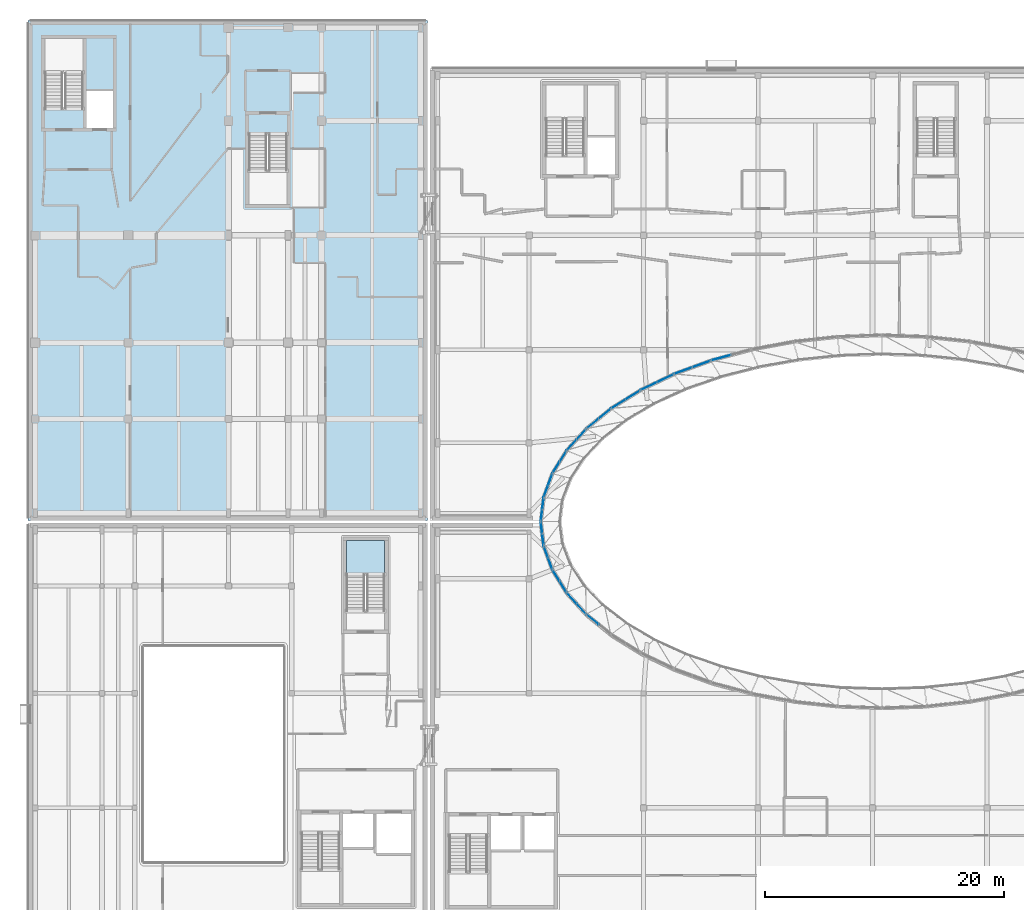
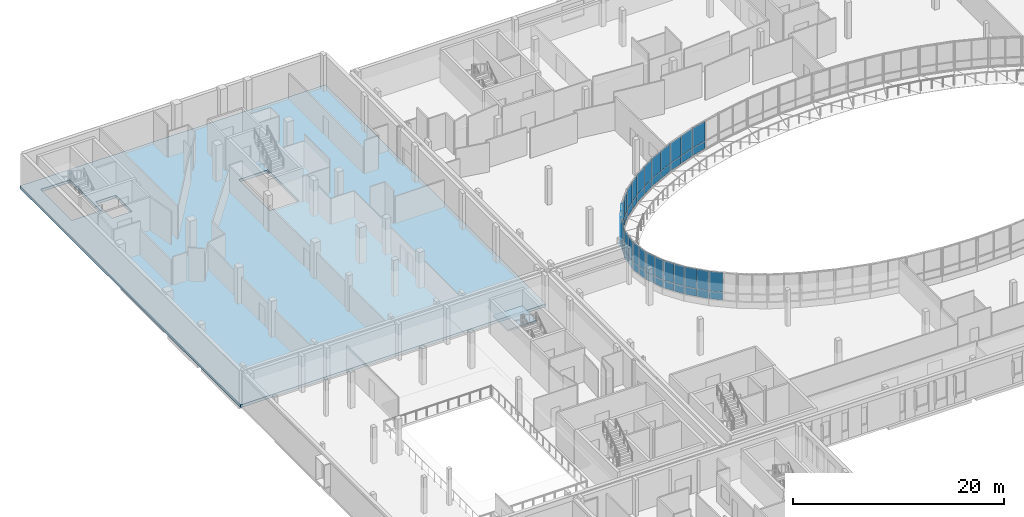
# One storey, part 34 of 84: 52 plates, 2 slabs, 15 elements without a shape of their own.
"""IFC4 building model written with IfcOpenShell, lengths in metres."""

import ifcopenshell
import ifcopenshell.guid

model = None  # the IFC model being written
_history = None  # IfcOwnerHistory: only IFC2X3 demands one
_inside = {}  # id of a spatial element -> (the spatial element, [elements in it])
_under = {}  # id of a project, library or spatial element -> (it, [spatial elements below it])
_declared = {}  # id of a project -> (the project, [libraries it declares])
_typed = {}  # id of a type object -> (the type object, [elements of that type])
_made_of = {}  # id of a material, layer set ... -> (it, [elements and type objects made of it])


def new_model(schema):
    """Start an empty IFC model of exactly this schema.

    Asked for "IFC4X3", IfcOpenShell would pick the latest addendum, in which some entities
    have other attributes; the version numbers below select the first issue.
    IFC2X3 requires an IfcOwnerHistory on every rooted entity: one is made here for all.
    """
    global model, _history
    if schema == "IFC4X3":
        model = ifcopenshell.file(schema_version=(4, 3, 0, 0))
    else:
        model = ifcopenshell.file(schema=schema)
    _inside.clear()
    _under.clear()
    _declared.clear()
    _typed.clear()
    _made_of.clear()
    _history = None
    if model.schema == "IFC2X3":
        org = make("IfcOrganization", Name="unknown")
        user = make(
            "IfcPersonAndOrganization",
            ThePerson=make("IfcPerson", FamilyName="unknown"),
            TheOrganization=org,
        )
        app = make(
            "IfcApplication",
            ApplicationDeveloper=org,
            Version="unknown",
            ApplicationFullName="unknown",
            ApplicationIdentifier="unknown",
        )
        _history = make(
            "IfcOwnerHistory",
            OwningUser=user,
            OwningApplication=app,
            ChangeAction="ADDED",
            CreationDate=0,
        )
    return model


def make(cls, **values):
    """One entity of the class cls with the attributes given. An attribute that is None is left unset."""
    return model.create_entity(
        cls, **{name: value for name, value in values.items() if value is not None}
    )


def rooted(cls, **values):
    """An entity with a GlobalId (a new one), such as an element, a storey or a relation."""
    return make(cls, GlobalId=ifcopenshell.guid.new(), OwnerHistory=_history, **values)


def si_unit(unit_type, name, prefix=None):
    """IfcSIUnit, for example si_unit("LENGTHUNIT", "METRE", prefix="MILLI")."""
    return make("IfcSIUnit", UnitType=unit_type, Prefix=prefix, Name=name)


def assignment(units):
    """IfcUnitAssignment: the units of a project."""
    return None if units is None else make("IfcUnitAssignment", Units=units)


def point(xyz):
    """IfcCartesianPoint."""
    return None if xyz is None else make("IfcCartesianPoint", Coordinates=xyz)


def direction(xyz):
    """IfcDirection."""
    return None if xyz is None else make("IfcDirection", DirectionRatios=xyz)


def frame(location, z_axis=None, x_axis=None):
    """IfcAxis2Placement3D, a coordinate frame: its origin and axes. An axis left out is left unset."""
    return make(
        "IfcAxis2Placement3D",
        Location=point(location),
        Axis=direction(z_axis),
        RefDirection=direction(x_axis),
    )


def frame_2d(location, x_axis=None):
    """IfcAxis2Placement2D, a coordinate frame in the plane: its origin and x axis."""
    return make(
        "IfcAxis2Placement2D", Location=point(location), RefDirection=direction(x_axis)
    )


def origin():
    """The frame at (0, 0, 0) with its axes left unset."""
    return frame((0.0, 0.0, 0.0))


def origin_2d():
    """The frame at (0, 0) in the plane with its x axis left unset."""
    return frame_2d((0.0, 0.0))


def place(relative_to, where):
    """IfcLocalPlacement: puts the frame where relative to a parent placement (None: the world)."""
    return make(
        "IfcLocalPlacement", PlacementRelTo=relative_to, RelativePlacement=where
    )


def context(
    kind, dimensions, precision=None, world=None, true_north=None, identifier=None
):
    """IfcGeometricRepresentationContext, for example the 3D "Model" context."""
    return make(
        "IfcGeometricRepresentationContext",
        ContextIdentifier=identifier,
        ContextType=kind,
        CoordinateSpaceDimension=dimensions,
        Precision=precision,
        WorldCoordinateSystem=world,
        TrueNorth=true_north,
    )


def subcontext(parent, identifier, kind, view, scale=None):
    """IfcGeometricRepresentationSubContext, for example "Body" below "Model"."""
    return make(
        "IfcGeometricRepresentationSubContext",
        ContextIdentifier=identifier,
        ContextType=kind,
        ParentContext=parent,
        TargetScale=scale,
        TargetView=view,
    )


def project(units=None, contexts=None):
    """IfcProject with its units and contexts."""
    return rooted(
        "IfcProject",
        Name="project",
        RepresentationContexts=contexts,
        UnitsInContext=assignment(units),
    )


def spatial(cls, under=None, at=None, **own):
    """A site, building, storey or space (cls), placed at a placement, below another one or the project."""
    s = rooted(cls, ObjectPlacement=at, **own)
    if under is not None:
        _under.setdefault(under.id(), (under, []))[1].append(s)
    return s


def polyline(points):
    """IfcPolyline through the points."""
    return make("IfcPolyline", Points=[point(p) for p in points])


def profile(cls, at=None, kind="AREA", **sizes):
    """A parametric profile (cls). Its sizes go by their IFC names, for example OverallWidth=200.0."""
    return make(cls, ProfileType=kind, Position=at, **sizes)


def rectangle(**sizes):
    """IfcRectangleProfileDef."""
    return profile("IfcRectangleProfileDef", **sizes)


def outline(outer, holes=None, kind="AREA"):
    """IfcArbitraryClosedProfileDef: a profile drawn as a closed curve; with holes, ...WithVoids."""
    if holes is None:
        return make("IfcArbitraryClosedProfileDef", ProfileType=kind, OuterCurve=outer)
    return make(
        "IfcArbitraryProfileDefWithVoids",
        ProfileType=kind,
        OuterCurve=outer,
        InnerCurves=holes,
    )


def extrude(swept, where, along, depth):
    """IfcExtrudedAreaSolid: the profile swept, set in the frame where, extruded along a direction by depth."""
    return make(
        "IfcExtrudedAreaSolid",
        SweptArea=swept,
        Position=where,
        ExtrudedDirection=direction(along),
        Depth=depth,
    )


def shape(context_of_items, identifier, shape_type, items):
    """IfcShapeRepresentation: the items that make up one representation, for example the "Body"."""
    return make(
        "IfcShapeRepresentation",
        ContextOfItems=context_of_items,
        RepresentationIdentifier=identifier,
        RepresentationType=shape_type,
        Items=items,
    )


def material(Name=None, Category=None):
    """IfcMaterial."""
    return make("IfcMaterial", Name=Name, Category=Category)


def layer(
    of_material, thickness, ventilated=None, Name=None, Category=None, Priority=None
):
    """IfcMaterialLayer: one layer of a wall or slab, of a material (None: an air gap)."""
    return make(
        "IfcMaterialLayer",
        Material=of_material,
        LayerThickness=thickness,
        IsVentilated=ventilated,
        Name=Name,
        Category=Category,
        Priority=Priority,
    )


def layer_set(layers, Name=None):
    """IfcMaterialLayerSet."""
    return make("IfcMaterialLayerSet", MaterialLayers=layers, LayerSetName=Name)


def made_of(thing, what):
    """Note that an element or type object is made of a material, layer set ...; save() writes the relation."""
    if what is not None:
        _made_of.setdefault(what.id(), (what, []))[1].append(thing)
    return thing


def type_object(cls, material=None, **own):
    """A type object (cls), such as IfcWallType, which elements share."""
    return made_of(rooted(cls, **own), material)


def element(
    cls,
    number,
    at=None,
    inside=None,
    cuts=None,
    type_object=None,
    material=None,
    context=None,
    identifier="Body",
    shape_type=None,
    held_by="IfcProductDefinitionShape",
    body=None,
    shapes=None,
    **own,
):
    """One element of the class cls, such as IfcWall. Its Tag is "e" and its number.

    at: its placement. inside: the storey or other place that contains it. cuts: it is an
    opening in that element (IfcRelVoidsElement). A single representation is given by context,
    identifier, shape_type and body (its items); several are given by shapes. held_by: the class
    of the entity that holds the representations. save() writes the other relations.
    """
    e = rooted(cls, Tag="e%d" % number, ObjectPlacement=at, **own)
    if body is not None:
        shapes = [shape(context, identifier, shape_type, body)]
    if shapes is not None:
        e.Representation = make(held_by, Representations=shapes)
    if inside is not None:
        _inside.setdefault(inside.id(), (inside, []))[1].append(e)
    if cuts is not None:
        rooted(
            "IfcRelVoidsElement", RelatingBuildingElement=cuts, RelatedOpeningElement=e
        )
    if type_object is not None:
        _typed.setdefault(type_object.id(), (type_object, []))[1].append(e)
    return made_of(e, material)


def aggregate(whole, parts):
    """IfcRelAggregates: a whole, such as a stair, and the parts it consists of."""
    return rooted("IfcRelAggregates", RelatingObject=whole, RelatedObjects=parts)


def save(model, path):
    """Write the relations noted so far, then the file.

    IfcRelAggregates (storeys below a building ...), IfcRelContainedInSpatialStructure (elements
    in a storey), IfcRelDefinesByType, IfcRelAssociatesMaterial and IfcRelDeclares: one each for
    every whole, place, type object, material and project.
    """
    for whole, parts in _under.values():
        aggregate(whole, parts)
    for where, things in _inside.values():
        rooted(
            "IfcRelContainedInSpatialStructure",
            RelatedElements=things,
            RelatingStructure=where,
        )
    for kind, things in _typed.values():
        rooted("IfcRelDefinesByType", RelatedObjects=things, RelatingType=kind)
    for what, things in _made_of.values():
        rooted("IfcRelAssociatesMaterial", RelatedObjects=things, RelatingMaterial=what)
    for by, libraries in _declared.values():
        rooted("IfcRelDeclares", RelatingContext=by, RelatedDefinitions=libraries)
    model.write(path)


model = new_model("IFC4")

# Units and contexts
model_context = context("Model", 3, precision=1e-05, world=origin(), true_north=direction((0.0, 1.0)))
body_context = subcontext(model_context, "Body", "Model", "MODEL_VIEW")
ifc_project = project(units=[si_unit("LENGTHUNIT", "METRE"), si_unit("AREAUNIT", "SQUARE_METRE"), si_unit("VOLUMEUNIT", "CUBIC_METRE"), si_unit("PLANEANGLEUNIT", "RADIAN"), si_unit("MASSUNIT", "GRAM", prefix="KILO")], contexts=[model_context])

# Site, building, storey
site_placement = place(None, origin())
site = spatial("IfcSite", under=ifc_project, at=site_placement, CompositionType="ELEMENT")
building_placement = place(site_placement, origin())
building = spatial("IfcBuilding", under=site, at=building_placement, Name="Mzevani Central Library", CompositionType="ELEMENT")
storey_placement = place(building_placement, frame((0.0, 0.0, 5.39990234375)))
storey = spatial("IfcBuildingStorey", under=building, at=storey_placement, Name="L01", CompositionType="ELEMENT", Elevation=5.39990234375)

# Curtain wall, plate
ifc_material_1 = material(Name="Thermally broken aluminium and Low-E triple glazing", Category="aluminium")
curtain_wall_type_1 = type_object("IfcCurtainWallType", Name="Reading Hall Northlight Curtain Wall", PredefinedType="NOTDEFINED", material=ifc_material_1)
curtain_wall_1_placement = place(storey_placement, origin())
curtain_wall_1 = element("IfcCurtainWall", 1, at=curtain_wall_1_placement, inside=storey, type_object=curtain_wall_type_1, Name="L01 Elliptical Court Curtain Wall 16", PredefinedType="NOTDEFINED")
ifc_material_2 = material(Name="Thermally broken aluminium AW-6060", Category="aluminium")
ifc_layer_1 = layer(ifc_material_2, 0.0419921875, Name="CW Insulated Spandrel Panel 42")
ifc_layer_set_1 = layer_set([ifc_layer_1], Name="Thermally broken aluminium AW-6060")
plate_type_1 = type_object("IfcPlateType", Name="CW Insulated Spandrel Panel 42", PredefinedType="CURTAIN_PANEL", material=ifc_layer_set_1)
plate_1_placement = place(storey_placement, frame((70.48486328125, 89.733154296875, 0.72021484375), z_axis=(0.0, 0.0, 1.0), x_axis=(-0.966009344959, -0.258507147775, 0.0)))
plate_1 = element("IfcPlate", 2, at=plate_1_placement, type_object=plate_type_1, Name="L01 Elliptical Court Curtain Wall 16 Spandrel Panel 3", PredefinedType="CURTAIN_PANEL", context=body_context, shape_type="SweptSolid", body=[
    extrude(rectangle(XDim=1.724609375, YDim=0.0419921875, at=origin_2d()), origin(), (0.0, 0.0, 1.0), 0.89990234375),
])

# Curtain wall, plates
curtain_wall_type_2 = type_object("IfcCurtainWallType", Name="Elliptical Court Unitised Curtain Wall", PredefinedType="NOTDEFINED", material=ifc_material_1)
curtain_wall_2_placement = place(storey_placement, origin())
curtain_wall_2 = element("IfcCurtainWall", 3, at=curtain_wall_2_placement, inside=storey, type_object=curtain_wall_type_2, Name="L01 Elliptical Court Curtain Wall 17", PredefinedType="NOTDEFINED")
plate_2_placement = place(storey_placement, frame((68.85693359375, 89.2060546875, 0.72021484375), z_axis=(0.0, 0.0, 1.0), x_axis=(-0.940105611205, -0.340883322826, 0.0)))
plate_2 = element("IfcPlate", 4, at=plate_2_placement, type_object=plate_type_1, Name="L01 Elliptical Court Curtain Wall 17 Spandrel Panel 1", PredefinedType="CURTAIN_PANEL", context=body_context, shape_type="SweptSolid", body=[
    extrude(rectangle(XDim=1.642822265625, YDim=0.0419921875, at=origin_2d()), origin(), (0.0, 0.0, 1.0), 0.89990234375),
])
plate_3_placement = place(storey_placement, frame((67.3125, 88.64599609375, 0.72021484375), z_axis=(0.0, 0.0, 1.0), x_axis=(-0.940105611205, -0.340883322826, 0.0)))
plate_3 = element("IfcPlate", 5, at=plate_3_placement, type_object=plate_type_1, Name="L01 Elliptical Court Curtain Wall 17 Spandrel Panel 3", PredefinedType="CURTAIN_PANEL", context=body_context, shape_type="SweptSolid", body=[
    extrude(rectangle(XDim=1.642822265625, YDim=0.0419921875, at=origin_2d()), origin(), (0.0, 0.0, 1.0), 0.89990234375),
])

curtain_wall_3_placement = place(storey_placement, origin())
curtain_wall_3 = element("IfcCurtainWall", 6, at=curtain_wall_3_placement, inside=storey, type_object=curtain_wall_type_2, Name="L01 Elliptical Court Curtain Wall 18", PredefinedType="NOTDEFINED")
plate_4_placement = place(storey_placement, frame((65.825927734375, 88.010986328125, 0.72021484375), z_axis=(0.0, 0.0, 1.0), x_axis=(-0.902948631939, -0.429748493982, 0.0)))
plate_4 = element("IfcPlate", 7, at=plate_4_placement, type_object=plate_type_1, Name="L01 Elliptical Court Curtain Wall 18 Spandrel Panel 1", PredefinedType="CURTAIN_PANEL", context=body_context, shape_type="SweptSolid", body=[
    extrude(rectangle(XDim=1.546630859375, YDim=0.0419921875, at=origin_2d()), origin(), (0.0, 0.0, 1.0), 0.89990234375),
])
plate_5_placement = place(storey_placement, frame((64.429443359375, 87.34619140625, 0.72021484375), z_axis=(0.0, 0.0, 1.0), x_axis=(-0.902948631939, -0.429748493982, 0.0)))
plate_5 = element("IfcPlate", 8, at=plate_5_placement, type_object=plate_type_1, Name="L01 Elliptical Court Curtain Wall 18 Spandrel Panel 3", PredefinedType="CURTAIN_PANEL", context=body_context, shape_type="SweptSolid", body=[
    extrude(rectangle(XDim=1.546630859375, YDim=0.0419921875, at=origin_2d()), origin(), (0.0, 0.0, 1.0), 0.89990234375),
])

curtain_wall_4_placement = place(storey_placement, origin())
curtain_wall_4 = element("IfcCurtainWall", 9, at=curtain_wall_4_placement, inside=storey, type_object=curtain_wall_type_1, Name="L01 Elliptical Court Curtain Wall 19", PredefinedType="NOTDEFINED")
plate_6_placement = place(storey_placement, frame((63.107177734375, 86.61376953125, 0.72021484375), z_axis=(0.0, 0.0, 1.0), x_axis=(-0.850357735448, -0.526205018755, 0.0)))
plate_6 = element("IfcPlate", 10, at=plate_6_placement, type_object=plate_type_1, Name="L01 Elliptical Court Curtain Wall 19 Spandrel Panel 1", PredefinedType="CURTAIN_PANEL", context=body_context, shape_type="SweptSolid", body=[
    extrude(rectangle(XDim=1.440185546875, YDim=0.0419921875, at=origin_2d()), origin(), (0.0, 0.0, 1.0), 0.89990234375),
])
plate_7_placement = place(storey_placement, frame((61.882568359375, 85.85595703125, 0.72021484375), z_axis=(0.0, 0.0, 1.0), x_axis=(-0.850357735448, -0.526205018755, 0.0)))
plate_7 = element("IfcPlate", 11, at=plate_7_placement, type_object=plate_type_1, Name="L01 Elliptical Court Curtain Wall 19 Spandrel Panel 3", PredefinedType="CURTAIN_PANEL", context=body_context, shape_type="SweptSolid", body=[
    extrude(rectangle(XDim=1.440185546875, YDim=0.0419921875, at=origin_2d()), origin(), (0.0, 0.0, 1.0), 0.89990234375),
])

curtain_wall_5_placement = place(storey_placement, origin())
curtain_wall_5 = element("IfcCurtainWall", 12, at=curtain_wall_5_placement, inside=storey, type_object=curtain_wall_type_2, Name="L01 Elliptical Court Curtain Wall 20", PredefinedType="NOTDEFINED")
plate_8_placement = place(storey_placement, frame((60.745849609375, 85.038330078125, 0.72021484375), z_axis=(0.0, 0.0, 1.0), x_axis=(-0.776231297509, -0.630448231632, 0.0)))
plate_8 = element("IfcPlate", 13, at=plate_8_placement, type_object=plate_type_1, Name="L01 Elliptical Court Curtain Wall 20 Spandrel Panel 1", PredefinedType="CURTAIN_PANEL", context=body_context, shape_type="SweptSolid", body=[
    extrude(rectangle(XDim=1.329345703125, YDim=0.0419921875, at=origin_2d()), origin(), (0.0, 0.0, 1.0), 0.89990234375),
])
plate_9_placement = place(storey_placement, frame((59.714111328125, 84.2001953125, 0.72021484375), z_axis=(0.0, 0.0, 1.0), x_axis=(-0.776231297509, -0.630448231632, 0.0)))
plate_9 = element("IfcPlate", 14, at=plate_9_placement, type_object=plate_type_1, Name="L01 Elliptical Court Curtain Wall 20 Spandrel Panel 3", PredefinedType="CURTAIN_PANEL", context=body_context, shape_type="SweptSolid", body=[
    extrude(rectangle(XDim=1.329345703125, YDim=0.0419921875, at=origin_2d()), origin(), (0.0, 0.0, 1.0), 0.89990234375),
])

curtain_wall_6_placement = place(storey_placement, origin())
curtain_wall_6 = element("IfcCurtainWall", 15, at=curtain_wall_6_placement, inside=storey, type_object=curtain_wall_type_2, Name="L01 Elliptical Court Curtain Wall 21", PredefinedType="NOTDEFINED")
plate_10_placement = place(storey_placement, frame((58.78173828125, 83.31103515625, 0.72021484375), z_axis=(0.0, 0.0, 1.0), x_axis=(-0.672532156972, -0.74006790083, 0.0)))
plate_10 = element("IfcPlate", 16, at=plate_10_placement, type_object=plate_type_1, Name="L01 Elliptical Court Curtain Wall 21 Spandrel Panel 1", PredefinedType="CURTAIN_PANEL", context=body_context, shape_type="SweptSolid", body=[
    extrude(rectangle(XDim=1.2216796875, YDim=0.0419921875, at=origin_2d()), origin(), (0.0, 0.0, 1.0), 0.89990234375),
])
plate_11_placement = place(storey_placement, frame((57.9599609375, 82.406982421875, 0.72021484375), z_axis=(0.0, 0.0, 1.0), x_axis=(-0.672532156972, -0.74006790083, 0.0)))
plate_11 = element("IfcPlate", 17, at=plate_11_placement, type_object=plate_type_1, Name="L01 Elliptical Court Curtain Wall 21 Spandrel Panel 3", PredefinedType="CURTAIN_PANEL", context=body_context, shape_type="SweptSolid", body=[
    extrude(rectangle(XDim=1.2216796875, YDim=0.0419921875, at=origin_2d()), origin(), (0.0, 0.0, 1.0), 0.89990234375),
])

curtain_wall_7_placement = place(storey_placement, origin())
curtain_wall_7 = element("IfcCurtainWall", 18, at=curtain_wall_7_placement, inside=storey, type_object=curtain_wall_type_1, Name="L01 Elliptical Court Curtain Wall 22", PredefinedType="NOTDEFINED")
plate_12_placement = place(storey_placement, frame((57.2470703125, 81.460693359375, 0.72021484375), z_axis=(0.0, 0.0, 1.0), x_axis=(-0.530342513418, -0.847783473808, 0.0)))
plate_12 = element("IfcPlate", 19, at=plate_12_placement, type_object=plate_type_1, Name="L01 Elliptical Court Curtain Wall 22 Spandrel Panel 1", PredefinedType="CURTAIN_PANEL", context=body_context, shape_type="SweptSolid", body=[
    extrude(rectangle(XDim=1.1259765625, YDim=0.0419921875, at=origin_2d()), origin(), (0.0, 0.0, 1.0), 0.89990234375),
])
plate_13_placement = place(storey_placement, frame((56.64990234375, 80.506103515625, 0.72021484375), z_axis=(0.0, 0.0, 1.0), x_axis=(-0.530342513418, -0.847783473808, 0.0)))
plate_13 = element("IfcPlate", 20, at=plate_13_placement, type_object=plate_type_1, Name="L01 Elliptical Court Curtain Wall 22 Spandrel Panel 3", PredefinedType="CURTAIN_PANEL", context=body_context, shape_type="SweptSolid", body=[
    extrude(rectangle(XDim=1.1259765625, YDim=0.0419921875, at=origin_2d()), origin(), (0.0, 0.0, 1.0), 0.89990234375),
])

curtain_wall_8_placement = place(storey_placement, origin())
curtain_wall_8 = element("IfcCurtainWall", 21, at=curtain_wall_8_placement, inside=storey, type_object=curtain_wall_type_2, Name="L01 Elliptical Court Curtain Wall 23", PredefinedType="NOTDEFINED")
plate_14_placement = place(storey_placement, frame((56.167724609375, 79.518310546875, 0.72021484375), z_axis=(0.0, 0.0, 1.0), x_axis=(-0.344166104443, -0.938908777546, 0.0)))
plate_14 = element("IfcPlate", 22, at=plate_14_placement, type_object=plate_type_1, Name="L01 Elliptical Court Curtain Wall 23 Spandrel Panel 1", PredefinedType="CURTAIN_PANEL", context=body_context, shape_type="SweptSolid", body=[
    extrude(rectangle(XDim=1.052978515625, YDim=0.0419921875, at=origin_2d()), origin(), (0.0, 0.0, 1.0), 0.89990234375),
])
plate_15_placement = place(storey_placement, frame((55.805419921875, 78.529541015625, 0.72021484375), z_axis=(0.0, 0.0, 1.0), x_axis=(-0.344166104443, -0.938908777546, 0.0)))
plate_15 = element("IfcPlate", 23, at=plate_15_placement, type_object=plate_type_1, Name="L01 Elliptical Court Curtain Wall 23 Spandrel Panel 3", PredefinedType="CURTAIN_PANEL", context=body_context, shape_type="SweptSolid", body=[
    extrude(rectangle(XDim=1.052978515625, YDim=0.0419921875, at=origin_2d()), origin(), (0.0, 0.0, 1.0), 0.89990234375),
])

curtain_wall_9_placement = place(storey_placement, origin())
curtain_wall_9 = element("IfcCurtainWall", 24, at=curtain_wall_9_placement, inside=storey, type_object=curtain_wall_type_2, Name="L01 Elliptical Court Curtain Wall 24", PredefinedType="NOTDEFINED")
plate_16_placement = place(storey_placement, frame((55.562255859375, 77.5166015625, 0.72021484375), z_axis=(0.0, 0.0, 1.0), x_axis=(-0.119921982658, -0.992783318794, 0.0)))
plate_16 = element("IfcPlate", 25, at=plate_16_placement, type_object=plate_type_1, Name="L01 Elliptical Court Curtain Wall 24 Spandrel Panel 1", PredefinedType="CURTAIN_PANEL", context=body_context, shape_type="SweptSolid", body=[
    extrude(rectangle(XDim=1.01318359375, YDim=0.0419921875, at=origin_2d()), origin(), (0.0, 0.0, 1.0), 0.89990234375),
])
plate_17_placement = place(storey_placement, frame((55.44091796875, 76.5107421875, 0.72021484375), z_axis=(0.0, 0.0, 1.0), x_axis=(-0.119921982658, -0.992783318794, 0.0)))
plate_17 = element("IfcPlate", 26, at=plate_17_placement, type_object=plate_type_1, Name="L01 Elliptical Court Curtain Wall 24 Spandrel Panel 3", PredefinedType="CURTAIN_PANEL", context=body_context, shape_type="SweptSolid", body=[
    extrude(rectangle(XDim=1.01318359375, YDim=0.0419921875, at=origin_2d()), origin(), (0.0, 0.0, 1.0), 0.89990234375),
])

curtain_wall_10_placement = place(storey_placement, origin())
curtain_wall_10 = element("IfcCurtainWall", 27, at=curtain_wall_10_placement, inside=storey, type_object=curtain_wall_type_1, Name="L01 Elliptical Court Curtain Wall 25", PredefinedType="NOTDEFINED")
plate_18_placement = place(storey_placement, frame((55.44091796875, 75.4892578125, 0.72021484375), z_axis=(0.0, 0.0, 1.0), x_axis=(0.119921982658, -0.992783318794, 0.0)))
plate_18 = element("IfcPlate", 28, at=plate_18_placement, type_object=plate_type_1, Name="L01 Elliptical Court Curtain Wall 25 Spandrel Panel 1", PredefinedType="CURTAIN_PANEL", context=body_context, shape_type="SweptSolid", body=[
    extrude(rectangle(XDim=1.01318359375, YDim=0.0419921875, at=origin_2d()), origin(), (0.0, 0.0, 1.0), 0.89990234375),
])
plate_19_placement = place(storey_placement, frame((55.562255859375, 74.4833984375, 0.72021484375), z_axis=(0.0, 0.0, 1.0), x_axis=(0.119921982658, -0.992783318794, 0.0)))
plate_19 = element("IfcPlate", 29, at=plate_19_placement, type_object=plate_type_1, Name="L01 Elliptical Court Curtain Wall 25 Spandrel Panel 3", PredefinedType="CURTAIN_PANEL", context=body_context, shape_type="SweptSolid", body=[
    extrude(rectangle(XDim=1.01318359375, YDim=0.0419921875, at=origin_2d()), origin(), (0.0, 0.0, 1.0), 0.89990234375),
])

curtain_wall_11_placement = place(storey_placement, origin())
curtain_wall_11 = element("IfcCurtainWall", 30, at=curtain_wall_11_placement, inside=storey, type_object=curtain_wall_type_2, Name="L01 Elliptical Court Curtain Wall 26", PredefinedType="NOTDEFINED")
plate_20_placement = place(storey_placement, frame((55.805419921875, 73.470458984375, 0.72021484375), z_axis=(0.0, 0.0, 1.0), x_axis=(0.344166104443, -0.938908777546, 0.0)))
plate_20 = element("IfcPlate", 31, at=plate_20_placement, type_object=plate_type_1, Name="L01 Elliptical Court Curtain Wall 26 Spandrel Panel 1", PredefinedType="CURTAIN_PANEL", context=body_context, shape_type="SweptSolid", body=[
    extrude(rectangle(XDim=1.052978515625, YDim=0.0419921875, at=origin_2d()), origin(), (0.0, 0.0, 1.0), 0.89990234375),
])
plate_21_placement = place(storey_placement, frame((56.167724609375, 72.481689453125, 0.72021484375), z_axis=(0.0, 0.0, 1.0), x_axis=(0.344166104443, -0.938908777546, 0.0)))
plate_21 = element("IfcPlate", 32, at=plate_21_placement, type_object=plate_type_1, Name="L01 Elliptical Court Curtain Wall 26 Spandrel Panel 3", PredefinedType="CURTAIN_PANEL", context=body_context, shape_type="SweptSolid", body=[
    extrude(rectangle(XDim=1.052978515625, YDim=0.0419921875, at=origin_2d()), origin(), (0.0, 0.0, 1.0), 0.89990234375),
])

curtain_wall_12_placement = place(storey_placement, origin())
curtain_wall_12 = element("IfcCurtainWall", 33, at=curtain_wall_12_placement, inside=storey, type_object=curtain_wall_type_2, Name="L01 Elliptical Court Curtain Wall 27", PredefinedType="NOTDEFINED")
plate_22_placement = place(storey_placement, frame((56.64990234375, 71.493896484375, 0.72021484375), z_axis=(0.0, 0.0, 1.0), x_axis=(0.530342513418, -0.847783473808, 0.0)))
plate_22 = element("IfcPlate", 34, at=plate_22_placement, type_object=plate_type_1, Name="L01 Elliptical Court Curtain Wall 27 Spandrel Panel 1", PredefinedType="CURTAIN_PANEL", context=body_context, shape_type="SweptSolid", body=[
    extrude(rectangle(XDim=1.1259765625, YDim=0.0419921875, at=origin_2d()), origin(), (0.0, 0.0, 1.0), 0.89990234375),
])
plate_23_placement = place(storey_placement, frame((57.2470703125, 70.539306640625, 0.72021484375), z_axis=(0.0, 0.0, 1.0), x_axis=(0.530342513418, -0.847783473808, 0.0)))
plate_23 = element("IfcPlate", 35, at=plate_23_placement, type_object=plate_type_1, Name="L01 Elliptical Court Curtain Wall 27 Spandrel Panel 3", PredefinedType="CURTAIN_PANEL", context=body_context, shape_type="SweptSolid", body=[
    extrude(rectangle(XDim=1.1259765625, YDim=0.0419921875, at=origin_2d()), origin(), (0.0, 0.0, 1.0), 0.89990234375),
])

curtain_wall_13_placement = place(storey_placement, origin())
curtain_wall_13 = element("IfcCurtainWall", 36, at=curtain_wall_13_placement, inside=storey, type_object=curtain_wall_type_1, Name="L01 Elliptical Court Curtain Wall 28", PredefinedType="NOTDEFINED")
plate_24_placement = place(storey_placement, frame((57.9599609375, 69.593017578125, 0.72021484375), z_axis=(0.0, 0.0, 1.0), x_axis=(0.672532156972, -0.74006790083, 0.0)))
plate_24 = element("IfcPlate", 37, at=plate_24_placement, type_object=plate_type_1, Name="L01 Elliptical Court Curtain Wall 28 Spandrel Panel 1", PredefinedType="CURTAIN_PANEL", context=body_context, shape_type="SweptSolid", body=[
    extrude(rectangle(XDim=1.2216796875, YDim=0.0419921875, at=origin_2d()), origin(), (0.0, 0.0, 1.0), 0.89990234375),
])
plate_25_placement = place(storey_placement, frame((58.78173828125, 68.68896484375, 0.72021484375), z_axis=(0.0, 0.0, 1.0), x_axis=(0.672532156972, -0.74006790083, 0.0)))
plate_25 = element("IfcPlate", 38, at=plate_25_placement, type_object=plate_type_1, Name="L01 Elliptical Court Curtain Wall 28 Spandrel Panel 3", PredefinedType="CURTAIN_PANEL", context=body_context, shape_type="SweptSolid", body=[
    extrude(rectangle(XDim=1.2216796875, YDim=0.0419921875, at=origin_2d()), origin(), (0.0, 0.0, 1.0), 0.89990234375),
])

# Curtain wall, plate
curtain_wall_14_placement = place(storey_placement, origin())
curtain_wall_14 = element("IfcCurtainWall", 39, at=curtain_wall_14_placement, inside=storey, type_object=curtain_wall_type_2, Name="L01 Elliptical Court Curtain Wall 29", PredefinedType="NOTDEFINED")
plate_26_placement = place(storey_placement, frame((59.714111328125, 67.7998046875, 0.72021484375), z_axis=(0.0, 0.0, 1.0), x_axis=(0.776231297509, -0.630448231632, 0.0)))
plate_26 = element("IfcPlate", 40, at=plate_26_placement, type_object=plate_type_1, Name="L01 Elliptical Court Curtain Wall 29 Spandrel Panel 1", PredefinedType="CURTAIN_PANEL", context=body_context, shape_type="SweptSolid", body=[
    extrude(rectangle(XDim=1.329345703125, YDim=0.0419921875, at=origin_2d()), origin(), (0.0, 0.0, 1.0), 0.89990234375),
])

# Plate
ifc_material_3 = material(Name="Low-E triple glazing glass", Category="glass")
ifc_layer_2 = layer(ifc_material_3, 0.028076171875, Name="CW Triple Glazed Vision Panel 28")
ifc_layer_set_2 = layer_set([ifc_layer_2], Name="Low-E triple glazing glass")
plate_type_2 = type_object("IfcPlateType", Name="CW Triple Glazed Vision Panel 28", PredefinedType="CURTAIN_PANEL", material=ifc_layer_set_2)
plate_27_placement = place(storey_placement, frame((70.48486328125, 89.733154296875, 1.6201171875), z_axis=(0.0, 0.0, 1.0), x_axis=(-0.966009344959, -0.258507147775, 0.0)))
plate_27 = element("IfcPlate", 41, at=plate_27_placement, type_object=plate_type_2, Name="L01 Elliptical Court Curtain Wall 16 Vision Panel 4", PredefinedType="CURTAIN_PANEL", context=body_context, shape_type="SweptSolid", body=[
    extrude(rectangle(XDim=1.724609375, YDim=0.028076171875, at=origin_2d()), origin(), (0.0, 0.0, 1.0), 2.300048828125),
])

aggregate(curtain_wall_1, [plate_1, plate_27])

plate_28_placement = place(storey_placement, frame((68.85693359375, 89.2060546875, 1.6201171875), z_axis=(0.0, 0.0, 1.0), x_axis=(-0.940105611205, -0.340883322826, 0.0)))
plate_28 = element("IfcPlate", 42, at=plate_28_placement, type_object=plate_type_2, Name="L01 Elliptical Court Curtain Wall 17 Vision Panel 2", PredefinedType="CURTAIN_PANEL", context=body_context, shape_type="SweptSolid", body=[
    extrude(rectangle(XDim=1.642822265625, YDim=0.028076171875, at=origin_2d()), origin(), (0.0, 0.0, 1.0), 2.300048828125),
])

plate_29_placement = place(storey_placement, frame((67.3125, 88.64599609375, 1.6201171875), z_axis=(0.0, 0.0, 1.0), x_axis=(-0.940105611205, -0.340883322826, 0.0)))
plate_29 = element("IfcPlate", 43, at=plate_29_placement, type_object=plate_type_2, Name="L01 Elliptical Court Curtain Wall 17 Vision Panel 4", PredefinedType="CURTAIN_PANEL", context=body_context, shape_type="SweptSolid", body=[
    extrude(rectangle(XDim=1.642822265625, YDim=0.028076171875, at=origin_2d()), origin(), (0.0, 0.0, 1.0), 2.300048828125),
])

aggregate(curtain_wall_2, [plate_2, plate_28, plate_3, plate_29])

plate_30_placement = place(storey_placement, frame((65.825927734375, 88.010986328125, 1.6201171875), z_axis=(0.0, 0.0, 1.0), x_axis=(-0.902948631939, -0.429748493982, 0.0)))
plate_30 = element("IfcPlate", 44, at=plate_30_placement, type_object=plate_type_2, Name="L01 Elliptical Court Curtain Wall 18 Vision Panel 2", PredefinedType="CURTAIN_PANEL", context=body_context, shape_type="SweptSolid", body=[
    extrude(rectangle(XDim=1.546630859375, YDim=0.028076171875, at=origin_2d()), origin(), (0.0, 0.0, 1.0), 2.300048828125),
])

plate_31_placement = place(storey_placement, frame((64.429443359375, 87.34619140625, 1.6201171875), z_axis=(0.0, 0.0, 1.0), x_axis=(-0.902948631939, -0.429748493982, 0.0)))
plate_31 = element("IfcPlate", 45, at=plate_31_placement, type_object=plate_type_2, Name="L01 Elliptical Court Curtain Wall 18 Vision Panel 4", PredefinedType="CURTAIN_PANEL", context=body_context, shape_type="SweptSolid", body=[
    extrude(rectangle(XDim=1.546630859375, YDim=0.028076171875, at=origin_2d()), origin(), (0.0, 0.0, 1.0), 2.300048828125),
])

aggregate(curtain_wall_3, [plate_4, plate_30, plate_5, plate_31])

plate_32_placement = place(storey_placement, frame((63.107177734375, 86.61376953125, 1.6201171875), z_axis=(0.0, 0.0, 1.0), x_axis=(-0.850357735448, -0.526205018755, 0.0)))
plate_32 = element("IfcPlate", 46, at=plate_32_placement, type_object=plate_type_2, Name="L01 Elliptical Court Curtain Wall 19 Vision Panel 2", PredefinedType="CURTAIN_PANEL", context=body_context, shape_type="SweptSolid", body=[
    extrude(rectangle(XDim=1.440185546875, YDim=0.028076171875, at=origin_2d()), origin(), (0.0, 0.0, 1.0), 2.300048828125),
])

plate_33_placement = place(storey_placement, frame((61.882568359375, 85.85595703125, 1.6201171875), z_axis=(0.0, 0.0, 1.0), x_axis=(-0.850357735448, -0.526205018755, 0.0)))
plate_33 = element("IfcPlate", 47, at=plate_33_placement, type_object=plate_type_2, Name="L01 Elliptical Court Curtain Wall 19 Vision Panel 4", PredefinedType="CURTAIN_PANEL", context=body_context, shape_type="SweptSolid", body=[
    extrude(rectangle(XDim=1.440185546875, YDim=0.028076171875, at=origin_2d()), origin(), (0.0, 0.0, 1.0), 2.300048828125),
])

aggregate(curtain_wall_4, [plate_6, plate_32, plate_7, plate_33])

plate_34_placement = place(storey_placement, frame((60.745849609375, 85.038330078125, 1.6201171875), z_axis=(0.0, 0.0, 1.0), x_axis=(-0.776231297509, -0.630448231632, 0.0)))
plate_34 = element("IfcPlate", 48, at=plate_34_placement, type_object=plate_type_2, Name="L01 Elliptical Court Curtain Wall 20 Vision Panel 2", PredefinedType="CURTAIN_PANEL", context=body_context, shape_type="SweptSolid", body=[
    extrude(rectangle(XDim=1.329345703125, YDim=0.028076171875, at=origin_2d()), origin(), (0.0, 0.0, 1.0), 2.300048828125),
])

plate_35_placement = place(storey_placement, frame((59.714111328125, 84.2001953125, 1.6201171875), z_axis=(0.0, 0.0, 1.0), x_axis=(-0.776231297509, -0.630448231632, 0.0)))
plate_35 = element("IfcPlate", 49, at=plate_35_placement, type_object=plate_type_2, Name="L01 Elliptical Court Curtain Wall 20 Vision Panel 4", PredefinedType="CURTAIN_PANEL", context=body_context, shape_type="SweptSolid", body=[
    extrude(rectangle(XDim=1.329345703125, YDim=0.028076171875, at=origin_2d()), origin(), (0.0, 0.0, 1.0), 2.300048828125),
])

aggregate(curtain_wall_5, [plate_8, plate_34, plate_9, plate_35])

plate_36_placement = place(storey_placement, frame((58.78173828125, 83.31103515625, 1.6201171875), z_axis=(0.0, 0.0, 1.0), x_axis=(-0.672532156972, -0.74006790083, 0.0)))
plate_36 = element("IfcPlate", 50, at=plate_36_placement, type_object=plate_type_2, Name="L01 Elliptical Court Curtain Wall 21 Vision Panel 2", PredefinedType="CURTAIN_PANEL", context=body_context, shape_type="SweptSolid", body=[
    extrude(rectangle(XDim=1.2216796875, YDim=0.028076171875, at=origin_2d()), origin(), (0.0, 0.0, 1.0), 2.300048828125),
])

plate_37_placement = place(storey_placement, frame((57.9599609375, 82.406982421875, 1.6201171875), z_axis=(0.0, 0.0, 1.0), x_axis=(-0.672532156972, -0.74006790083, 0.0)))
plate_37 = element("IfcPlate", 51, at=plate_37_placement, type_object=plate_type_2, Name="L01 Elliptical Court Curtain Wall 21 Vision Panel 4", PredefinedType="CURTAIN_PANEL", context=body_context, shape_type="SweptSolid", body=[
    extrude(rectangle(XDim=1.2216796875, YDim=0.028076171875, at=origin_2d()), origin(), (0.0, 0.0, 1.0), 2.300048828125),
])

aggregate(curtain_wall_6, [plate_10, plate_36, plate_11, plate_37])

plate_38_placement = place(storey_placement, frame((57.2470703125, 81.460693359375, 1.6201171875), z_axis=(0.0, 0.0, 1.0), x_axis=(-0.530342513418, -0.847783473808, 0.0)))
plate_38 = element("IfcPlate", 52, at=plate_38_placement, type_object=plate_type_2, Name="L01 Elliptical Court Curtain Wall 22 Vision Panel 2", PredefinedType="CURTAIN_PANEL", context=body_context, shape_type="SweptSolid", body=[
    extrude(rectangle(XDim=1.1259765625, YDim=0.028076171875, at=origin_2d()), origin(), (0.0, 0.0, 1.0), 2.300048828125),
])

plate_39_placement = place(storey_placement, frame((56.64990234375, 80.506103515625, 1.6201171875), z_axis=(0.0, 0.0, 1.0), x_axis=(-0.530342513418, -0.847783473808, 0.0)))
plate_39 = element("IfcPlate", 53, at=plate_39_placement, type_object=plate_type_2, Name="L01 Elliptical Court Curtain Wall 22 Vision Panel 4", PredefinedType="CURTAIN_PANEL", context=body_context, shape_type="SweptSolid", body=[
    extrude(rectangle(XDim=1.1259765625, YDim=0.028076171875, at=origin_2d()), origin(), (0.0, 0.0, 1.0), 2.300048828125),
])

aggregate(curtain_wall_7, [plate_12, plate_38, plate_13, plate_39])

plate_40_placement = place(storey_placement, frame((56.167724609375, 79.518310546875, 1.6201171875), z_axis=(0.0, 0.0, 1.0), x_axis=(-0.344166104443, -0.938908777546, 0.0)))
plate_40 = element("IfcPlate", 54, at=plate_40_placement, type_object=plate_type_2, Name="L01 Elliptical Court Curtain Wall 23 Vision Panel 2", PredefinedType="CURTAIN_PANEL", context=body_context, shape_type="SweptSolid", body=[
    extrude(rectangle(XDim=1.052978515625, YDim=0.028076171875, at=origin_2d()), origin(), (0.0, 0.0, 1.0), 2.300048828125),
])

plate_41_placement = place(storey_placement, frame((55.805419921875, 78.529541015625, 1.6201171875), z_axis=(0.0, 0.0, 1.0), x_axis=(-0.344166104443, -0.938908777546, 0.0)))
plate_41 = element("IfcPlate", 55, at=plate_41_placement, type_object=plate_type_2, Name="L01 Elliptical Court Curtain Wall 23 Vision Panel 4", PredefinedType="CURTAIN_PANEL", context=body_context, shape_type="SweptSolid", body=[
    extrude(rectangle(XDim=1.052978515625, YDim=0.028076171875, at=origin_2d()), origin(), (0.0, 0.0, 1.0), 2.300048828125),
])

aggregate(curtain_wall_8, [plate_14, plate_40, plate_15, plate_41])

plate_42_placement = place(storey_placement, frame((55.562255859375, 77.5166015625, 1.6201171875), z_axis=(0.0, 0.0, 1.0), x_axis=(-0.119921982658, -0.992783318794, 0.0)))
plate_42 = element("IfcPlate", 56, at=plate_42_placement, type_object=plate_type_2, Name="L01 Elliptical Court Curtain Wall 24 Vision Panel 2", PredefinedType="CURTAIN_PANEL", context=body_context, shape_type="SweptSolid", body=[
    extrude(rectangle(XDim=1.01318359375, YDim=0.028076171875, at=origin_2d()), origin(), (0.0, 0.0, 1.0), 2.300048828125),
])

plate_43_placement = place(storey_placement, frame((55.44091796875, 76.5107421875, 1.6201171875), z_axis=(0.0, 0.0, 1.0), x_axis=(-0.119921982658, -0.992783318794, 0.0)))
plate_43 = element("IfcPlate", 57, at=plate_43_placement, type_object=plate_type_2, Name="L01 Elliptical Court Curtain Wall 24 Vision Panel 4", PredefinedType="CURTAIN_PANEL", context=body_context, shape_type="SweptSolid", body=[
    extrude(rectangle(XDim=1.01318359375, YDim=0.028076171875, at=origin_2d()), origin(), (0.0, 0.0, 1.0), 2.300048828125),
])

aggregate(curtain_wall_9, [plate_16, plate_42, plate_17, plate_43])

plate_44_placement = place(storey_placement, frame((55.44091796875, 75.4892578125, 1.6201171875), z_axis=(0.0, 0.0, 1.0), x_axis=(0.119921982658, -0.992783318794, 0.0)))
plate_44 = element("IfcPlate", 58, at=plate_44_placement, type_object=plate_type_2, Name="L01 Elliptical Court Curtain Wall 25 Vision Panel 2", PredefinedType="CURTAIN_PANEL", context=body_context, shape_type="SweptSolid", body=[
    extrude(rectangle(XDim=1.01318359375, YDim=0.028076171875, at=origin_2d()), origin(), (0.0, 0.0, 1.0), 2.300048828125),
])

plate_45_placement = place(storey_placement, frame((55.562255859375, 74.4833984375, 1.6201171875), z_axis=(0.0, 0.0, 1.0), x_axis=(0.119921982658, -0.992783318794, 0.0)))
plate_45 = element("IfcPlate", 59, at=plate_45_placement, type_object=plate_type_2, Name="L01 Elliptical Court Curtain Wall 25 Vision Panel 4", PredefinedType="CURTAIN_PANEL", context=body_context, shape_type="SweptSolid", body=[
    extrude(rectangle(XDim=1.01318359375, YDim=0.028076171875, at=origin_2d()), origin(), (0.0, 0.0, 1.0), 2.300048828125),
])

aggregate(curtain_wall_10, [plate_18, plate_44, plate_19, plate_45])

plate_46_placement = place(storey_placement, frame((55.805419921875, 73.470458984375, 1.6201171875), z_axis=(0.0, 0.0, 1.0), x_axis=(0.344166104443, -0.938908777546, 0.0)))
plate_46 = element("IfcPlate", 60, at=plate_46_placement, type_object=plate_type_2, Name="L01 Elliptical Court Curtain Wall 26 Vision Panel 2", PredefinedType="CURTAIN_PANEL", context=body_context, shape_type="SweptSolid", body=[
    extrude(rectangle(XDim=1.052978515625, YDim=0.028076171875, at=origin_2d()), origin(), (0.0, 0.0, 1.0), 2.300048828125),
])

plate_47_placement = place(storey_placement, frame((56.167724609375, 72.481689453125, 1.6201171875), z_axis=(0.0, 0.0, 1.0), x_axis=(0.344166104443, -0.938908777546, 0.0)))
plate_47 = element("IfcPlate", 61, at=plate_47_placement, type_object=plate_type_2, Name="L01 Elliptical Court Curtain Wall 26 Vision Panel 4", PredefinedType="CURTAIN_PANEL", context=body_context, shape_type="SweptSolid", body=[
    extrude(rectangle(XDim=1.052978515625, YDim=0.028076171875, at=origin_2d()), origin(), (0.0, 0.0, 1.0), 2.300048828125),
])

aggregate(curtain_wall_11, [plate_20, plate_46, plate_21, plate_47])

plate_48_placement = place(storey_placement, frame((56.64990234375, 71.493896484375, 1.6201171875), z_axis=(0.0, 0.0, 1.0), x_axis=(0.530342513418, -0.847783473808, 0.0)))
plate_48 = element("IfcPlate", 62, at=plate_48_placement, type_object=plate_type_2, Name="L01 Elliptical Court Curtain Wall 27 Vision Panel 2", PredefinedType="CURTAIN_PANEL", context=body_context, shape_type="SweptSolid", body=[
    extrude(rectangle(XDim=1.1259765625, YDim=0.028076171875, at=origin_2d()), origin(), (0.0, 0.0, 1.0), 2.300048828125),
])

plate_49_placement = place(storey_placement, frame((57.2470703125, 70.539306640625, 1.6201171875), z_axis=(0.0, 0.0, 1.0), x_axis=(0.530342513418, -0.847783473808, 0.0)))
plate_49 = element("IfcPlate", 63, at=plate_49_placement, type_object=plate_type_2, Name="L01 Elliptical Court Curtain Wall 27 Vision Panel 4", PredefinedType="CURTAIN_PANEL", context=body_context, shape_type="SweptSolid", body=[
    extrude(rectangle(XDim=1.1259765625, YDim=0.028076171875, at=origin_2d()), origin(), (0.0, 0.0, 1.0), 2.300048828125),
])

aggregate(curtain_wall_12, [plate_22, plate_48, plate_23, plate_49])

plate_50_placement = place(storey_placement, frame((57.9599609375, 69.593017578125, 1.6201171875), z_axis=(0.0, 0.0, 1.0), x_axis=(0.672532156972, -0.74006790083, 0.0)))
plate_50 = element("IfcPlate", 64, at=plate_50_placement, type_object=plate_type_2, Name="L01 Elliptical Court Curtain Wall 28 Vision Panel 2", PredefinedType="CURTAIN_PANEL", context=body_context, shape_type="SweptSolid", body=[
    extrude(rectangle(XDim=1.2216796875, YDim=0.028076171875, at=origin_2d()), origin(), (0.0, 0.0, 1.0), 2.300048828125),
])

plate_51_placement = place(storey_placement, frame((58.78173828125, 68.68896484375, 1.6201171875), z_axis=(0.0, 0.0, 1.0), x_axis=(0.672532156972, -0.74006790083, 0.0)))
plate_51 = element("IfcPlate", 65, at=plate_51_placement, type_object=plate_type_2, Name="L01 Elliptical Court Curtain Wall 28 Vision Panel 4", PredefinedType="CURTAIN_PANEL", context=body_context, shape_type="SweptSolid", body=[
    extrude(rectangle(XDim=1.2216796875, YDim=0.028076171875, at=origin_2d()), origin(), (0.0, 0.0, 1.0), 2.300048828125),
])

aggregate(curtain_wall_13, [plate_24, plate_50, plate_25, plate_51])

plate_52_placement = place(storey_placement, frame((59.714111328125, 67.7998046875, 1.6201171875), z_axis=(0.0, 0.0, 1.0), x_axis=(0.776231297509, -0.630448231632, 0.0)))
plate_52 = element("IfcPlate", 66, at=plate_52_placement, type_object=plate_type_2, Name="L01 Elliptical Court Curtain Wall 29 Vision Panel 2", PredefinedType="CURTAIN_PANEL", context=body_context, shape_type="SweptSolid", body=[
    extrude(rectangle(XDim=1.329345703125, YDim=0.028076171875, at=origin_2d()), origin(), (0.0, 0.0, 1.0), 2.300048828125),
])

aggregate(curtain_wall_14, [plate_26, plate_52])

# Slab
ifc_material_4 = material(Name="Concrete C40/50", Category="concrete")
ifc_layer_3 = layer(ifc_material_4, 0.320068359375, Name="Compact Stack Floor Slab 320")
ifc_layer_set_3 = layer_set([ifc_layer_3], Name="Concrete C40/50")
slab_type_1 = type_object("IfcSlabType", Name="Compact Stack Floor Slab 320", PredefinedType="FLOOR", material=ifc_layer_set_3)
slab_1_placement = place(storey_placement, frame((0.0, 0.0, -0.31982421875)))
element("IfcSlab", 67, at=slab_1_placement, inside=storey, type_object=slab_type_1, Name="L01 V2 Structural Slab FS-04", PredefinedType="FLOOR", context=body_context, shape_type="SweptSolid", body=[
    extrude(outline(polyline([(45.89990234375, 76.10009765625), (12.39990234375, 76.10009765625), (12.39990234375, 118.0), (45.89990234375, 118.0), (45.89990234375, 76.10009765625)]), holes=[polyline([(17.0, 110.60009765625), (17.0, 116.5), (13.800048828125, 116.5), (13.800048828125, 110.60009765625), (17.0, 110.60009765625)]), polyline([(17.300048828125, 109.0), (19.5, 109.0), (19.5, 112.10009765625), (17.300048828125, 112.10009765625), (17.300048828125, 109.0)]), polyline([(30.89990234375, 108.5), (30.89990234375, 102.60009765625), (34.10009765625, 102.60009765625), (34.10009765625, 108.5), (30.89990234375, 108.5)])]), origin(), (0.0, 0.0, 1.0), 0.31982421875),
])

# Stair, slab
ifc_material_5 = material(Name="Concrete C35/45", Category="concrete")
stair_type = type_object("IfcStairType", Name="Dogleg Exit Stair 175x280", PredefinedType="HALF_TURN_STAIR", material=ifc_material_5)
stair_placement = place(storey_placement, origin())
stair = element("IfcStair", 68, at=stair_placement, inside=storey, type_object=stair_type, Name="L01 Core C5B Lecture North Escape Stair Exit Stair ST-02", PredefinedType="HALF_TURN_STAIR")
ifc_layer_4 = layer(ifc_material_5, 0.199951171875, Name="Stair Landing Slab 200")
ifc_layer_set_4 = layer_set([ifc_layer_4], Name="Concrete C35/45")
slab_type_2 = type_object("IfcSlabType", Name="Stair Landing Slab 200", PredefinedType="LANDING", material=ifc_layer_set_4)
slab_2_placement = place(storey_placement, frame((0.0, 0.0, 1.900146484375)))
slab_2 = element("IfcSlab", 69, at=slab_2_placement, type_object=slab_type_2, Name="ST-10 landing 1", PredefinedType="LANDING", context=body_context, shape_type="SweptSolid", body=[
    extrude(outline(polyline([(42.300048828125, 71.580078125), (42.300048828125, 74.39990234375), (39.10009765625, 74.39990234375), (39.10009765625, 71.580078125), (42.300048828125, 71.580078125)])), origin(), (0.0, 0.0, 1.0), 0.199951171875),
])
aggregate(stair, [slab_2])

save(model, "model.ifc")
